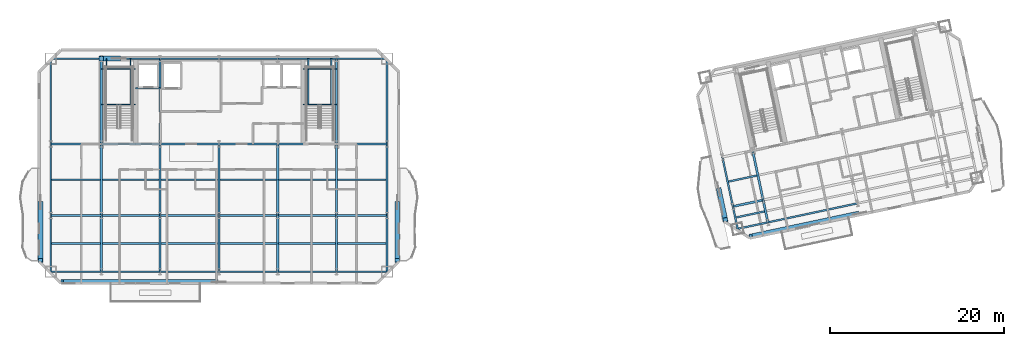
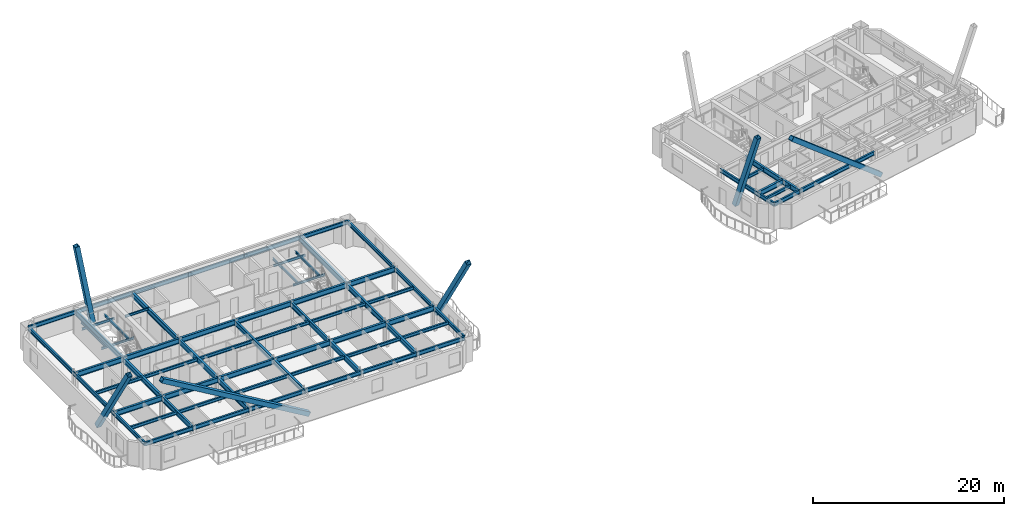
# One storey, part 3 of 13: 73 beams, 6 members.
"""IFC4 building model written with IfcOpenShell, lengths in metres."""

from ifc_helpers import new_model, si_unit, direction, frame, origin, origin_2d, place, context, subcontext, project, spatial, hollow_rectangle, i_section, extrude, material, material_profile, profile_set, type_object, element, save


model = new_model("IFC4")

# Units and contexts
model_context = context("Model", 3, precision=1e-05, world=origin(), true_north=direction((0.0, 1.0)))
body_context = subcontext(model_context, "Body", "Model", "MODEL_VIEW")
ifc_project = project(units=[si_unit("LENGTHUNIT", "METRE"), si_unit("AREAUNIT", "SQUARE_METRE"), si_unit("VOLUMEUNIT", "CUBIC_METRE"), si_unit("PLANEANGLEUNIT", "RADIAN"), si_unit("MASSUNIT", "GRAM", prefix="KILO")], contexts=[model_context])

# Site, building, storey
site_placement = place(None, origin())
site = spatial("IfcSite", under=ifc_project, at=site_placement, CompositionType="ELEMENT")
building_placement = place(site_placement, origin())
building = spatial("IfcBuilding", under=site, at=building_placement, Name="Haevon Station Towers", CompositionType="ELEMENT")
storey_placement = place(building_placement, frame((0.0, 0.0, 185.699951171875)))
storey = spatial("IfcBuildingStorey", under=building, at=storey_placement, Name="L51", CompositionType="ELEMENT", Elevation=185.699951171875)

# Beams
ifc_material_1 = material(Name="Steel S355", Category="steel")
ifc_material_profile_1 = material_profile(ifc_material_1, i_section(OverallWidth=0.25, OverallDepth=0.64990234375, WebThickness=0.012939453125, FlangeThickness=0.02197265625, at=origin_2d()), Name="H-650x250x13x22")
ifc_profile_set_1 = profile_set([ifc_material_profile_1], Name="Steel S355")
beam_type_1 = type_object("IfcBeamType", Name="BM-G650", PredefinedType="BEAM", material=ifc_profile_set_1)
beam_1_placement = place(storey_placement, frame((18.199951171875, 30.0, 2.72509765625), z_axis=(1.0, 0.0, 0.0), x_axis=(0.0, 1.0, 0.0)))
element("IfcBeam", 1, at=beam_1_placement, inside=storey, type_object=beam_type_1, Name="BM-T1U-L51-02-01", PredefinedType="BEAM", context=body_context, shape_type="SweptSolid", body=[
    extrude(i_section(OverallWidth=0.25, OverallDepth=0.64990234375, WebThickness=0.012939453125, FlangeThickness=0.02197265625, at=origin_2d()), origin(), (0.0, 0.0, 1.0), 5.800048828125),
])
for number, where, z_axis, x_axis, name in (
    (2, (24.0, 30.0, 2.72509765625), (1.0, 0.0, 0.0), (0.0, 1.0, 0.0), "BM-T1U-L51-02-02"),
    (3, (30.75, 30.0, 2.72509765625), (1.0, 0.0, 0.0), (0.0, 1.0, 0.0), "BM-T1U-L51-02-03"),
    (4, (37.5, 30.0, 2.72509765625), (1.0, 0.0, 0.0), (0.0, 1.0, 0.0), "BM-T1U-L51-02-04"),
    (5, (44.25, 30.0, 2.72509765625), (1.0, 0.0, 0.0), (0.0, 1.0, 0.0), "BM-T1U-L51-02-05"),
):
    element("IfcBeam", number, at=place(storey_placement, frame(where, z_axis=z_axis, x_axis=x_axis)), inside=storey, type_object=beam_type_1, Name=name, PredefinedType="BEAM", context=body_context, shape_type="SweptSolid", body=[
        extrude(i_section(OverallWidth=0.25, OverallDepth=0.64990234375, WebThickness=0.012939453125, FlangeThickness=0.02197265625, at=origin_2d()), origin(), (0.0, 0.0, 1.0), 6.75),
    ])
for number, where, z_axis, x_axis, name in (
    (6, (51.0, 30.0, 2.72509765625), (1.0, 0.0, 0.0), (0.0, 1.0, 0.0), "BM-T1U-L51-02-06"),
    (7, (18.199951171875, 38.199951171875, 2.72509765625), (1.0, 0.0, 0.0), (0.0, 1.0, 0.0), "BM-T1U-L51-03-01"),
):
    element("IfcBeam", number, at=place(storey_placement, frame(where, z_axis=z_axis, x_axis=x_axis)), inside=storey, type_object=beam_type_1, Name=name, PredefinedType="BEAM", context=body_context, shape_type="SweptSolid", body=[
        extrude(i_section(OverallWidth=0.25, OverallDepth=0.64990234375, WebThickness=0.012939453125, FlangeThickness=0.02197265625, at=origin_2d()), origin(), (0.0, 0.0, 1.0), 5.800048828125),
    ])
for number, where, z_axis, x_axis, name in (
    (8, (24.0, 38.199951171875, 2.72509765625), (1.0, 0.0, 0.0), (0.0, 1.0, 0.0), "BM-T1U-L51-03-02"),
    (9, (30.75, 38.199951171875, 2.72509765625), (1.0, 0.0, 0.0), (0.0, 1.0, 0.0), "BM-T1U-L51-03-03"),
    (10, (37.5, 38.199951171875, 2.72509765625), (1.0, 0.0, 0.0), (0.0, 1.0, 0.0), "BM-T1U-L51-03-04"),
    (11, (44.25, 38.199951171875, 2.72509765625), (1.0, 0.0, 0.0), (0.0, 1.0, 0.0), "BM-T1U-L51-03-05"),
):
    element("IfcBeam", number, at=place(storey_placement, frame(where, z_axis=z_axis, x_axis=x_axis)), inside=storey, type_object=beam_type_1, Name=name, PredefinedType="BEAM", context=body_context, shape_type="SweptSolid", body=[
        extrude(i_section(OverallWidth=0.25, OverallDepth=0.64990234375, WebThickness=0.012939453125, FlangeThickness=0.02197265625, at=origin_2d()), origin(), (0.0, 0.0, 1.0), 6.75),
    ])
beam_2_placement = place(storey_placement, frame((51.0, 38.199951171875, 2.72509765625), z_axis=(1.0, 0.0, 0.0), x_axis=(0.0, 1.0, 0.0)))
element("IfcBeam", 12, at=beam_2_placement, inside=storey, type_object=beam_type_1, Name="BM-T1U-L51-03-06", PredefinedType="BEAM", context=body_context, shape_type="SweptSolid", body=[
    extrude(i_section(OverallWidth=0.25, OverallDepth=0.64990234375, WebThickness=0.012939453125, FlangeThickness=0.02197265625, at=origin_2d()), origin(), (0.0, 0.0, 1.0), 5.800048828125),
])
beam_3_placement = place(storey_placement, frame((24.0, 23.550048828125, 2.72509765625), z_axis=(0.0, 1.0, 0.0), x_axis=(-1.0, 0.0, 0.0)))
element("IfcBeam", 13, at=beam_3_placement, inside=storey, type_object=beam_type_1, Name="BM-T1V-L51-02-01", PredefinedType="BEAM", context=body_context, shape_type="SweptSolid", body=[
    extrude(i_section(OverallWidth=0.25, OverallDepth=0.64990234375, WebThickness=0.012939453125, FlangeThickness=0.02197265625, at=origin_2d()), origin(), (0.0, 0.0, 1.0), 6.449951171875),
])
beam_4_placement = place(storey_placement, frame((24.0, 30.0, 2.72509765625), z_axis=(0.0, 1.0, 0.0), x_axis=(-1.0, 0.0, 0.0)))
element("IfcBeam", 14, at=beam_4_placement, inside=storey, type_object=beam_type_1, Name="BM-T1V-L51-02-02", PredefinedType="BEAM", context=body_context, shape_type="SweptSolid", body=[
    extrude(i_section(OverallWidth=0.25, OverallDepth=0.64990234375, WebThickness=0.012939453125, FlangeThickness=0.02197265625, at=origin_2d()), origin(), (0.0, 0.0, 1.0), 8.199951171875),
])
beam_5_placement = place(storey_placement, frame((24.0, 38.199951171875, 2.72509765625), z_axis=(0.0, 1.0, 0.0), x_axis=(-1.0, 0.0, 0.0)))
element("IfcBeam", 15, at=beam_5_placement, inside=storey, type_object=beam_type_1, Name="BM-T1V-L51-02-03", PredefinedType="BEAM", context=body_context, shape_type="SweptSolid", body=[
    extrude(i_section(OverallWidth=0.25, OverallDepth=0.64990234375, WebThickness=0.012939453125, FlangeThickness=0.02197265625, at=origin_2d()), origin(), (0.0, 0.0, 1.0), 9.800048828125),
])
beam_6_placement = place(storey_placement, frame((30.75, 23.550048828125, 2.72509765625), z_axis=(0.0, 1.0, 0.0), x_axis=(-1.0, 0.0, 0.0)))
element("IfcBeam", 16, at=beam_6_placement, inside=storey, type_object=beam_type_1, Name="BM-T1V-L51-03-01", PredefinedType="BEAM", context=body_context, shape_type="SweptSolid", body=[
    extrude(i_section(OverallWidth=0.25, OverallDepth=0.64990234375, WebThickness=0.012939453125, FlangeThickness=0.02197265625, at=origin_2d()), origin(), (0.0, 0.0, 1.0), 6.449951171875),
])
beam_7_placement = place(storey_placement, frame((30.75, 30.0, 2.72509765625), z_axis=(0.0, 1.0, 0.0), x_axis=(-1.0, 0.0, 0.0)))
element("IfcBeam", 17, at=beam_7_placement, inside=storey, type_object=beam_type_1, Name="BM-T1V-L51-03-02", PredefinedType="BEAM", context=body_context, shape_type="SweptSolid", body=[
    extrude(i_section(OverallWidth=0.25, OverallDepth=0.64990234375, WebThickness=0.012939453125, FlangeThickness=0.02197265625, at=origin_2d()), origin(), (0.0, 0.0, 1.0), 8.199951171875),
])
beam_8_placement = place(storey_placement, frame((30.75, 38.199951171875, 2.72509765625), z_axis=(0.0, 1.0, 0.0), x_axis=(-1.0, 0.0, 0.0)))
element("IfcBeam", 18, at=beam_8_placement, inside=storey, type_object=beam_type_1, Name="BM-T1V-L51-03-03", PredefinedType="BEAM", context=body_context, shape_type="SweptSolid", body=[
    extrude(i_section(OverallWidth=0.25, OverallDepth=0.64990234375, WebThickness=0.012939453125, FlangeThickness=0.02197265625, at=origin_2d()), origin(), (0.0, 0.0, 1.0), 9.800048828125),
])
beam_9_placement = place(storey_placement, frame((37.5, 23.550048828125, 2.72509765625), z_axis=(0.0, 1.0, 0.0), x_axis=(-1.0, 0.0, 0.0)))
element("IfcBeam", 19, at=beam_9_placement, inside=storey, type_object=beam_type_1, Name="BM-T1V-L51-04-01", PredefinedType="BEAM", context=body_context, shape_type="SweptSolid", body=[
    extrude(i_section(OverallWidth=0.25, OverallDepth=0.64990234375, WebThickness=0.012939453125, FlangeThickness=0.02197265625, at=origin_2d()), origin(), (0.0, 0.0, 1.0), 6.449951171875),
])
beam_10_placement = place(storey_placement, frame((37.5, 30.0, 2.72509765625), z_axis=(0.0, 1.0, 0.0), x_axis=(-1.0, 0.0, 0.0)))
element("IfcBeam", 20, at=beam_10_placement, inside=storey, type_object=beam_type_1, Name="BM-T1V-L51-04-02", PredefinedType="BEAM", context=body_context, shape_type="SweptSolid", body=[
    extrude(i_section(OverallWidth=0.25, OverallDepth=0.64990234375, WebThickness=0.012939453125, FlangeThickness=0.02197265625, at=origin_2d()), origin(), (0.0, 0.0, 1.0), 8.199951171875),
])
beam_11_placement = place(storey_placement, frame((44.25, 23.550048828125, 2.72509765625), z_axis=(0.0, 1.0, 0.0), x_axis=(-1.0, 0.0, 0.0)))
element("IfcBeam", 21, at=beam_11_placement, inside=storey, type_object=beam_type_1, Name="BM-T1V-L51-05-01", PredefinedType="BEAM", context=body_context, shape_type="SweptSolid", body=[
    extrude(i_section(OverallWidth=0.25, OverallDepth=0.64990234375, WebThickness=0.012939453125, FlangeThickness=0.02197265625, at=origin_2d()), origin(), (0.0, 0.0, 1.0), 6.449951171875),
])
beam_12_placement = place(storey_placement, frame((44.25, 30.0, 2.72509765625), z_axis=(0.0, 1.0, 0.0), x_axis=(-1.0, 0.0, 0.0)))
element("IfcBeam", 22, at=beam_12_placement, inside=storey, type_object=beam_type_1, Name="BM-T1V-L51-05-02", PredefinedType="BEAM", context=body_context, shape_type="SweptSolid", body=[
    extrude(i_section(OverallWidth=0.25, OverallDepth=0.64990234375, WebThickness=0.012939453125, FlangeThickness=0.02197265625, at=origin_2d()), origin(), (0.0, 0.0, 1.0), 8.199951171875),
])
beam_13_placement = place(storey_placement, frame((51.0, 23.550048828125, 2.72509765625), z_axis=(0.0, 1.0, 0.0), x_axis=(-1.0, 0.0, 0.0)))
element("IfcBeam", 23, at=beam_13_placement, inside=storey, type_object=beam_type_1, Name="BM-T1V-L51-06-01", PredefinedType="BEAM", context=body_context, shape_type="SweptSolid", body=[
    extrude(i_section(OverallWidth=0.25, OverallDepth=0.64990234375, WebThickness=0.012939453125, FlangeThickness=0.02197265625, at=origin_2d()), origin(), (0.0, 0.0, 1.0), 6.449951171875),
])
beam_14_placement = place(storey_placement, frame((51.0, 30.0, 2.72509765625), z_axis=(0.0, 1.0, 0.0), x_axis=(-1.0, 0.0, 0.0)))
element("IfcBeam", 24, at=beam_14_placement, inside=storey, type_object=beam_type_1, Name="BM-T1V-L51-06-02", PredefinedType="BEAM", context=body_context, shape_type="SweptSolid", body=[
    extrude(i_section(OverallWidth=0.25, OverallDepth=0.64990234375, WebThickness=0.012939453125, FlangeThickness=0.02197265625, at=origin_2d()), origin(), (0.0, 0.0, 1.0), 8.199951171875),
])
beam_15_placement = place(storey_placement, frame((51.0, 38.199951171875, 2.72509765625), z_axis=(0.0, 1.0, 0.0), x_axis=(-1.0, 0.0, 0.0)))
element("IfcBeam", 25, at=beam_15_placement, inside=storey, type_object=beam_type_1, Name="BM-T1V-L51-06-03", PredefinedType="BEAM", context=body_context, shape_type="SweptSolid", body=[
    extrude(i_section(OverallWidth=0.25, OverallDepth=0.64990234375, WebThickness=0.012939453125, FlangeThickness=0.02197265625, at=origin_2d()), origin(), (0.0, 0.0, 1.0), 9.800048828125),
])
beam_16_placement = place(storey_placement, frame((96.48583984375, 31.031005859375, 2.72509765625), z_axis=(0.978150285663, 0.207899058817, 0.0), x_axis=(-0.207899058817, 0.978150285663, 0.0)))
element("IfcBeam", 26, at=beam_16_placement, inside=storey, type_object=beam_type_1, Name="BM-T2U-L51-02-01", PredefinedType="BEAM", context=body_context, shape_type="SweptSolid", body=[
    extrude(i_section(OverallWidth=0.25, OverallDepth=0.64990234375, WebThickness=0.012939453125, FlangeThickness=0.02197265625, at=origin_2d()), origin(), (0.0, 0.0, 1.0), 3.550048828125),
])
beam_17_placement = place(storey_placement, frame((100.5029296875, 29.206298828125, 2.72509765625), z_axis=(-0.207893304367, 0.978151508714, 0.0), x_axis=(-0.978151508714, -0.207893304367, 0.0)))
element("IfcBeam", 27, at=beam_17_placement, inside=storey, type_object=beam_type_1, Name="BM-T2V-L51-02-01", PredefinedType="BEAM", context=body_context, shape_type="SweptSolid", body=[
    extrude(i_section(OverallWidth=0.25, OverallDepth=0.64990234375, WebThickness=0.012939453125, FlangeThickness=0.02197265625, at=origin_2d()), origin(), (0.0, 0.0, 1.0), 2.619873046875),
])
beam_18_placement = place(storey_placement, frame((99.958251953125, 31.76904296875, 2.72509765625), z_axis=(-0.207896009217, 0.97815093383, 0.0), x_axis=(-0.97815093383, -0.207896009217, 0.0)))
element("IfcBeam", 28, at=beam_18_placement, inside=storey, type_object=beam_type_1, Name="BM-T2V-L51-02-02", PredefinedType="BEAM", context=body_context, shape_type="SweptSolid", body=[
    extrude(i_section(OverallWidth=0.25, OverallDepth=0.64990234375, WebThickness=0.012939453125, FlangeThickness=0.02197265625, at=origin_2d()), origin(), (0.0, 0.0, 1.0), 5.800048828125),
])
ifc_material_profile_2 = material_profile(ifc_material_1, i_section(OverallWidth=0.199951171875, OverallDepth=0.39990234375, WebThickness=0.008056640625, FlangeThickness=0.012939453125, at=origin_2d()), Name="H-400x200x8x13")
ifc_profile_set_2 = profile_set([ifc_material_profile_2], Name="Steel S355")
beam_type_2 = type_object("IfcBeamType", Name="BM-J400", PredefinedType="JOIST", material=ifc_profile_set_2)
beam_19_placement = place(storey_placement, frame((18.31005859375, 26.77490234375, 2.85009765625), z_axis=(1.0, 0.0, 0.0), x_axis=(0.0, 1.0, 0.0)))
element("IfcBeam", 29, at=beam_19_placement, inside=storey, type_object=beam_type_2, Name="BM-T1J-L51-01-01", PredefinedType="JOIST", context=body_context, shape_type="SweptSolid", body=[
    extrude(i_section(OverallWidth=0.199951171875, OverallDepth=0.39990234375, WebThickness=0.008056640625, FlangeThickness=0.012939453125, at=origin_2d()), origin(), (0.0, 0.0, 1.0), 5.579833984375),
])
for number, where, z_axis, x_axis, name in (
    (30, (24.110107421875, 26.77490234375, 2.85009765625), (1.0, 0.0, 0.0), (0.0, 1.0, 0.0), "BM-T1J-L51-01-02"),
    (31, (30.860107421875, 26.77490234375, 2.85009765625), (1.0, 0.0, 0.0), (0.0, 1.0, 0.0), "BM-T1J-L51-01-03"),
    (32, (37.610107421875, 26.77490234375, 2.85009765625), (1.0, 0.0, 0.0), (0.0, 1.0, 0.0), "BM-T1J-L51-01-04"),
    (33, (44.360107421875, 26.77490234375, 2.85009765625), (1.0, 0.0, 0.0), (0.0, 1.0, 0.0), "BM-T1J-L51-01-05"),
):
    element("IfcBeam", number, at=place(storey_placement, frame(where, z_axis=z_axis, x_axis=x_axis)), inside=storey, type_object=beam_type_2, Name=name, PredefinedType="JOIST", context=body_context, shape_type="SweptSolid", body=[
        extrude(i_section(OverallWidth=0.199951171875, OverallDepth=0.39990234375, WebThickness=0.008056640625, FlangeThickness=0.012939453125, at=origin_2d()), origin(), (0.0, 0.0, 1.0), 6.52978515625),
    ])
for number, where, z_axis, x_axis, name in (
    (34, (51.110107421875, 26.77490234375, 2.85009765625), (1.0, 0.0, 0.0), (0.0, 1.0, 0.0), "BM-T1J-L51-01-06"),
    (35, (18.31005859375, 34.10009765625, 2.85009765625), (1.0, 0.0, 0.0), (0.0, 1.0, 0.0), "BM-T1J-L51-02-01"),
):
    element("IfcBeam", number, at=place(storey_placement, frame(where, z_axis=z_axis, x_axis=x_axis)), inside=storey, type_object=beam_type_2, Name=name, PredefinedType="JOIST", context=body_context, shape_type="SweptSolid", body=[
        extrude(i_section(OverallWidth=0.199951171875, OverallDepth=0.39990234375, WebThickness=0.008056640625, FlangeThickness=0.012939453125, at=origin_2d()), origin(), (0.0, 0.0, 1.0), 5.579833984375),
    ])
for number, where, z_axis, x_axis, name in (
    (36, (24.110107421875, 34.10009765625, 2.85009765625), (1.0, 0.0, 0.0), (0.0, 1.0, 0.0), "BM-T1J-L51-02-02"),
    (37, (30.860107421875, 34.10009765625, 2.85009765625), (1.0, 0.0, 0.0), (0.0, 1.0, 0.0), "BM-T1J-L51-02-03"),
    (38, (37.610107421875, 34.10009765625, 2.85009765625), (1.0, 0.0, 0.0), (0.0, 1.0, 0.0), "BM-T1J-L51-02-04"),
    (39, (44.360107421875, 34.10009765625, 2.85009765625), (1.0, 0.0, 0.0), (0.0, 1.0, 0.0), "BM-T1J-L51-02-05"),
):
    element("IfcBeam", number, at=place(storey_placement, frame(where, z_axis=z_axis, x_axis=x_axis)), inside=storey, type_object=beam_type_2, Name=name, PredefinedType="JOIST", context=body_context, shape_type="SweptSolid", body=[
        extrude(i_section(OverallWidth=0.199951171875, OverallDepth=0.39990234375, WebThickness=0.008056640625, FlangeThickness=0.012939453125, at=origin_2d()), origin(), (0.0, 0.0, 1.0), 6.52978515625),
    ])
beam_20_placement = place(storey_placement, frame((51.110107421875, 34.10009765625, 2.85009765625), z_axis=(1.0, 0.0, 0.0), x_axis=(0.0, 1.0, 0.0)))
element("IfcBeam", 40, at=beam_20_placement, inside=storey, type_object=beam_type_2, Name="BM-T1J-L51-02-06", PredefinedType="JOIST", context=body_context, shape_type="SweptSolid", body=[
    extrude(i_section(OverallWidth=0.199951171875, OverallDepth=0.39990234375, WebThickness=0.008056640625, FlangeThickness=0.012939453125, at=origin_2d()), origin(), (0.0, 0.0, 1.0), 5.579833984375),
])
for number, where, z_axis, x_axis, name in (
    (41, (96.86572265625, 29.7724609375, 2.85009765625), (0.978146551768, 0.207916625754, 0.0), (-0.207916625754, 0.978146551768, 0.0), "BM-T2J-L51-01-01"),
    (42, (95.990478515625, 33.890625, 2.85009765625), (0.978146551768, 0.207916625754, 0.0), (-0.207916625754, 0.978146551768, 0.0), "BM-T2J-L51-02-01"),
):
    element("IfcBeam", number, at=place(storey_placement, frame(where, z_axis=z_axis, x_axis=x_axis)), inside=storey, type_object=beam_type_2, Name=name, PredefinedType="JOIST", context=body_context, shape_type="SweptSolid", body=[
        extrude(i_section(OverallWidth=0.199951171875, OverallDepth=0.39990234375, WebThickness=0.008056640625, FlangeThickness=0.012939453125, at=origin_2d()), origin(), (0.0, 0.0, 1.0), 3.330078125),
    ])
ifc_material_profile_3 = material_profile(ifc_material_1, i_section(OverallWidth=0.14990234375, OverallDepth=0.300048828125, WebThickness=0.006591796875, FlangeThickness=0.009033203125, at=origin_2d()), Name="H-300x150x6.5x9")
ifc_profile_set_3 = profile_set([ifc_material_profile_3], Name="Steel S355")
beam_type_3 = type_object("IfcBeamType", Name="BM-LIN300", PredefinedType="LINTEL", material=ifc_profile_set_3)
for number, where, z_axis, x_axis, name in (
    (43, (24.0, 42.743896484375, 1.300048828125), (1.0, 0.0, 0.0), (0.0, 1.0, 0.0), "BM-ST1L-L51-1-S"),
    (44, (24.0, 46.820068359375, 1.300048828125), (1.0, 0.0, 0.0), (0.0, 1.0, 0.0), "BM-ST1L-L51-1-N"),
):
    element("IfcBeam", number, at=place(storey_placement, frame(where, z_axis=z_axis, x_axis=x_axis)), inside=storey, type_object=beam_type_3, Name=name, PredefinedType="LINTEL", context=body_context, shape_type="SweptSolid", body=[
        extrude(i_section(OverallWidth=0.14990234375, OverallDepth=0.300048828125, WebThickness=0.006591796875, FlangeThickness=0.009033203125, at=origin_2d()), origin(), (0.0, 0.0, 1.0), 3.949951171875),
    ])
for number, where, z_axis, x_axis, name in (
    (45, (24.60009765625, 42.743896484375, 1.300048828125), (0.0, 1.0, 0.0), (-1.0, 0.0, 0.0), "BM-ST1L-L51-1-W"),
    (46, (27.35009765625, 42.743896484375, 1.300048828125), (0.0, 1.0, 0.0), (-1.0, 0.0, 0.0), "BM-ST1L-L51-1-E"),
):
    element("IfcBeam", number, at=place(storey_placement, frame(where, z_axis=z_axis, x_axis=x_axis)), inside=storey, type_object=beam_type_3, Name=name, PredefinedType="LINTEL", context=body_context, shape_type="SweptSolid", body=[
        extrude(i_section(OverallWidth=0.14990234375, OverallDepth=0.300048828125, WebThickness=0.006591796875, FlangeThickness=0.009033203125, at=origin_2d()), origin(), (0.0, 0.0, 1.0), 5.256103515625),
    ])
for number, where, z_axis, x_axis, name in (
    (47, (47.14990234375, 42.743896484375, 1.300048828125), (1.0, 0.0, 0.0), (0.0, 1.0, 0.0), "BM-ST2L-L51-1-S"),
    (48, (47.14990234375, 46.820068359375, 1.300048828125), (1.0, 0.0, 0.0), (0.0, 1.0, 0.0), "BM-ST2L-L51-1-N"),
):
    element("IfcBeam", number, at=place(storey_placement, frame(where, z_axis=z_axis, x_axis=x_axis)), inside=storey, type_object=beam_type_3, Name=name, PredefinedType="LINTEL", context=body_context, shape_type="SweptSolid", body=[
        extrude(i_section(OverallWidth=0.14990234375, OverallDepth=0.300048828125, WebThickness=0.006591796875, FlangeThickness=0.009033203125, at=origin_2d()), origin(), (0.0, 0.0, 1.0), 3.85009765625),
    ])
for number, where, z_axis, x_axis, name in (
    (49, (47.75, 42.743896484375, 1.300048828125), (0.0, 1.0, 0.0), (-1.0, 0.0, 0.0), "BM-ST2L-L51-1-W"),
    (50, (50.39990234375, 42.743896484375, 1.300048828125), (0.0, 1.0, 0.0), (-1.0, 0.0, 0.0), "BM-ST2L-L51-1-E"),
):
    element("IfcBeam", number, at=place(storey_placement, frame(where, z_axis=z_axis, x_axis=x_axis)), inside=storey, type_object=beam_type_3, Name=name, PredefinedType="LINTEL", context=body_context, shape_type="SweptSolid", body=[
        extrude(i_section(OverallWidth=0.14990234375, OverallDepth=0.300048828125, WebThickness=0.006591796875, FlangeThickness=0.009033203125, at=origin_2d()), origin(), (0.0, 0.0, 1.0), 5.256103515625),
    ])
beam_21_placement = place(storey_placement, frame((27.949951171875, 44.60009765625, 2.900146484375), z_axis=(1.0, 0.0, 0.0), x_axis=(0.0, 1.0, 0.0)))
element("IfcBeam", 51, at=beam_21_placement, inside=storey, type_object=beam_type_3, Name="BM-T1LIN-L51", PredefinedType="LINTEL", context=body_context, shape_type="SweptSolid", body=[
    extrude(i_section(OverallWidth=0.14990234375, OverallDepth=0.300048828125, WebThickness=0.006591796875, FlangeThickness=0.009033203125, at=origin_2d()), origin(), (0.0, 0.0, 1.0), 2.85009765625),
])
ifc_material_profile_4 = material_profile(ifc_material_1, i_section(OverallWidth=0.199951171875, OverallDepth=0.5, WebThickness=0.010009765625, FlangeThickness=0.01611328125, at=origin_2d()), Name="H-500x200x10x16")
ifc_profile_set_4 = profile_set([ifc_material_profile_4], Name="Steel S355")
beam_type_4 = type_object("IfcBeamType", Name="BM-SP500", PredefinedType="SPANDREL", material=ifc_profile_set_4)
beam_22_placement = place(storey_placement, frame((18.199951171875, 23.550048828125, 2.800048828125), z_axis=(1.0, 0.0, 0.0), x_axis=(0.0, 1.0, 0.0)))
element("IfcBeam", 52, at=beam_22_placement, inside=storey, type_object=beam_type_4, Name="BM-T1U-L51-01-01", PredefinedType="SPANDREL", context=body_context, shape_type="SweptSolid", body=[
    extrude(i_section(OverallWidth=0.199951171875, OverallDepth=0.5, WebThickness=0.010009765625, FlangeThickness=0.01611328125, at=origin_2d()), origin(), (0.0, 0.0, 1.0), 5.800048828125),
])
for number, where, z_axis, x_axis, name in (
    (53, (24.0, 23.550048828125, 2.800048828125), (1.0, 0.0, 0.0), (0.0, 1.0, 0.0), "BM-T1U-L51-01-02"),
    (54, (30.75, 23.550048828125, 2.800048828125), (1.0, 0.0, 0.0), (0.0, 1.0, 0.0), "BM-T1U-L51-01-03"),
    (55, (37.5, 23.550048828125, 2.800048828125), (1.0, 0.0, 0.0), (0.0, 1.0, 0.0), "BM-T1U-L51-01-04"),
    (56, (44.25, 23.550048828125, 2.800048828125), (1.0, 0.0, 0.0), (0.0, 1.0, 0.0), "BM-T1U-L51-01-05"),
):
    element("IfcBeam", number, at=place(storey_placement, frame(where, z_axis=z_axis, x_axis=x_axis)), inside=storey, type_object=beam_type_4, Name=name, PredefinedType="SPANDREL", context=body_context, shape_type="SweptSolid", body=[
        extrude(i_section(OverallWidth=0.199951171875, OverallDepth=0.5, WebThickness=0.010009765625, FlangeThickness=0.01611328125, at=origin_2d()), origin(), (0.0, 0.0, 1.0), 6.75),
    ])
for number, where, z_axis, x_axis, name in (
    (57, (51.0, 23.550048828125, 2.800048828125), (1.0, 0.0, 0.0), (0.0, 1.0, 0.0), "BM-T1U-L51-01-06"),
    (58, (18.199951171875, 48.0, 2.800048828125), (1.0, 0.0, 0.0), (0.0, 1.0, 0.0), "BM-T1U-L51-04-01"),
):
    element("IfcBeam", number, at=place(storey_placement, frame(where, z_axis=z_axis, x_axis=x_axis)), inside=storey, type_object=beam_type_4, Name=name, PredefinedType="SPANDREL", context=body_context, shape_type="SweptSolid", body=[
        extrude(i_section(OverallWidth=0.199951171875, OverallDepth=0.5, WebThickness=0.010009765625, FlangeThickness=0.01611328125, at=origin_2d()), origin(), (0.0, 0.0, 1.0), 5.800048828125),
    ])
for number, where, z_axis, x_axis, name in (
    (59, (24.0, 48.0, 2.800048828125), (1.0, 0.0, 0.0), (0.0, 1.0, 0.0), "BM-T1U-L51-04-02"),
    (60, (30.75, 48.0, 2.800048828125), (1.0, 0.0, 0.0), (0.0, 1.0, 0.0), "BM-T1U-L51-04-03"),
    (61, (37.5, 48.0, 2.800048828125), (1.0, 0.0, 0.0), (0.0, 1.0, 0.0), "BM-T1U-L51-04-04"),
    (62, (44.25, 48.0, 2.800048828125), (1.0, 0.0, 0.0), (0.0, 1.0, 0.0), "BM-T1U-L51-04-05"),
):
    element("IfcBeam", number, at=place(storey_placement, frame(where, z_axis=z_axis, x_axis=x_axis)), inside=storey, type_object=beam_type_4, Name=name, PredefinedType="SPANDREL", context=body_context, shape_type="SweptSolid", body=[
        extrude(i_section(OverallWidth=0.199951171875, OverallDepth=0.5, WebThickness=0.010009765625, FlangeThickness=0.01611328125, at=origin_2d()), origin(), (0.0, 0.0, 1.0), 6.75),
    ])
beam_23_placement = place(storey_placement, frame((51.0, 48.0, 2.800048828125), z_axis=(1.0, 0.0, 0.0), x_axis=(0.0, 1.0, 0.0)))
element("IfcBeam", 63, at=beam_23_placement, inside=storey, type_object=beam_type_4, Name="BM-T1U-L51-04-06", PredefinedType="SPANDREL", context=body_context, shape_type="SweptSolid", body=[
    extrude(i_section(OverallWidth=0.199951171875, OverallDepth=0.5, WebThickness=0.010009765625, FlangeThickness=0.01611328125, at=origin_2d()), origin(), (0.0, 0.0, 1.0), 5.800048828125),
])
beam_24_placement = place(storey_placement, frame((18.199951171875, 23.550048828125, 2.800048828125), z_axis=(0.0, 1.0, 0.0), x_axis=(-1.0, 0.0, 0.0)))
element("IfcBeam", 64, at=beam_24_placement, inside=storey, type_object=beam_type_4, Name="BM-T1V-L51-01-01", PredefinedType="SPANDREL", context=body_context, shape_type="SweptSolid", body=[
    extrude(i_section(OverallWidth=0.199951171875, OverallDepth=0.5, WebThickness=0.010009765625, FlangeThickness=0.01611328125, at=origin_2d()), origin(), (0.0, 0.0, 1.0), 6.449951171875),
])
beam_25_placement = place(storey_placement, frame((18.199951171875, 30.0, 2.800048828125), z_axis=(0.0, 1.0, 0.0), x_axis=(-1.0, 0.0, 0.0)))
element("IfcBeam", 65, at=beam_25_placement, inside=storey, type_object=beam_type_4, Name="BM-T1V-L51-01-02", PredefinedType="SPANDREL", context=body_context, shape_type="SweptSolid", body=[
    extrude(i_section(OverallWidth=0.199951171875, OverallDepth=0.5, WebThickness=0.010009765625, FlangeThickness=0.01611328125, at=origin_2d()), origin(), (0.0, 0.0, 1.0), 8.199951171875),
])
beam_26_placement = place(storey_placement, frame((18.199951171875, 38.199951171875, 2.800048828125), z_axis=(0.0, 1.0, 0.0), x_axis=(-1.0, 0.0, 0.0)))
element("IfcBeam", 66, at=beam_26_placement, inside=storey, type_object=beam_type_4, Name="BM-T1V-L51-01-03", PredefinedType="SPANDREL", context=body_context, shape_type="SweptSolid", body=[
    extrude(i_section(OverallWidth=0.199951171875, OverallDepth=0.5, WebThickness=0.010009765625, FlangeThickness=0.01611328125, at=origin_2d()), origin(), (0.0, 0.0, 1.0), 9.800048828125),
])
beam_27_placement = place(storey_placement, frame((56.800048828125, 23.550048828125, 2.800048828125), z_axis=(0.0, 1.0, 0.0), x_axis=(-1.0, 0.0, 0.0)))
element("IfcBeam", 67, at=beam_27_placement, inside=storey, type_object=beam_type_4, Name="BM-T1V-L51-07-01", PredefinedType="SPANDREL", context=body_context, shape_type="SweptSolid", body=[
    extrude(i_section(OverallWidth=0.199951171875, OverallDepth=0.5, WebThickness=0.010009765625, FlangeThickness=0.01611328125, at=origin_2d()), origin(), (0.0, 0.0, 1.0), 6.449951171875),
])
beam_28_placement = place(storey_placement, frame((56.800048828125, 30.0, 2.800048828125), z_axis=(0.0, 1.0, 0.0), x_axis=(-1.0, 0.0, 0.0)))
element("IfcBeam", 68, at=beam_28_placement, inside=storey, type_object=beam_type_4, Name="BM-T1V-L51-07-02", PredefinedType="SPANDREL", context=body_context, shape_type="SweptSolid", body=[
    extrude(i_section(OverallWidth=0.199951171875, OverallDepth=0.5, WebThickness=0.010009765625, FlangeThickness=0.01611328125, at=origin_2d()), origin(), (0.0, 0.0, 1.0), 8.199951171875),
])
beam_29_placement = place(storey_placement, frame((56.800048828125, 38.199951171875, 2.800048828125), z_axis=(0.0, 1.0, 0.0), x_axis=(-1.0, 0.0, 0.0)))
element("IfcBeam", 69, at=beam_29_placement, inside=storey, type_object=beam_type_4, Name="BM-T1V-L51-07-03", PredefinedType="SPANDREL", context=body_context, shape_type="SweptSolid", body=[
    extrude(i_section(OverallWidth=0.199951171875, OverallDepth=0.5, WebThickness=0.010009765625, FlangeThickness=0.01611328125, at=origin_2d()), origin(), (0.0, 0.0, 1.0), 9.800048828125),
])
beam_30_placement = place(storey_placement, frame((97.030517578125, 28.46826171875, 2.800048828125), z_axis=(0.978150285663, 0.207899058817, 0.0), x_axis=(-0.207899058817, 0.978150285663, 0.0)))
element("IfcBeam", 70, at=beam_30_placement, inside=storey, type_object=beam_type_4, Name="BM-T2U-L51-01-01", PredefinedType="SPANDREL", context=body_context, shape_type="SweptSolid", body=[
    extrude(i_section(OverallWidth=0.199951171875, OverallDepth=0.5, WebThickness=0.010009765625, FlangeThickness=0.01611328125, at=origin_2d()), origin(), (0.0, 0.0, 1.0), 3.550048828125),
])
beam_31_placement = place(storey_placement, frame((100.5029296875, 29.206298828125, 2.800048828125), z_axis=(0.978146794194, 0.207915485254, 0.0), x_axis=(-0.207915485254, 0.978146794194, 0.0)))
element("IfcBeam", 71, at=beam_31_placement, inside=storey, type_object=beam_type_4, Name="BM-T2U-L51-01-02", PredefinedType="SPANDREL", context=body_context, shape_type="SweptSolid", body=[
    extrude(i_section(OverallWidth=0.199951171875, OverallDepth=0.5, WebThickness=0.010009765625, FlangeThickness=0.01611328125, at=origin_2d()), origin(), (0.0, 0.0, 1.0), 10.5),
])
beam_32_placement = place(storey_placement, frame((97.030517578125, 28.46826171875, 2.800048828125), z_axis=(-0.207893304367, 0.978151508714, 0.0), x_axis=(-0.978151508714, -0.207893304367, 0.0)))
element("IfcBeam", 72, at=beam_32_placement, inside=storey, type_object=beam_type_4, Name="BM-T2V-L51-01-01", PredefinedType="SPANDREL", context=body_context, shape_type="SweptSolid", body=[
    extrude(i_section(OverallWidth=0.199951171875, OverallDepth=0.5, WebThickness=0.010009765625, FlangeThickness=0.01611328125, at=origin_2d()), origin(), (0.0, 0.0, 1.0), 2.619873046875),
])
beam_33_placement = place(storey_placement, frame((96.48583984375, 31.031005859375, 2.800048828125), z_axis=(-0.207896009217, 0.97815093383, 0.0), x_axis=(-0.97815093383, -0.207896009217, 0.0)))
element("IfcBeam", 73, at=beam_33_placement, inside=storey, type_object=beam_type_4, Name="BM-T2V-L51-01-02", PredefinedType="SPANDREL", context=body_context, shape_type="SweptSolid", body=[
    extrude(i_section(OverallWidth=0.199951171875, OverallDepth=0.5, WebThickness=0.010009765625, FlangeThickness=0.01611328125, at=origin_2d()), origin(), (0.0, 0.0, 1.0), 5.800048828125),
])

# Members
ifc_material_2 = material(Name="Steel S460", Category="steel")
ifc_material_profile_5 = material_profile(ifc_material_2, hollow_rectangle(XDim=0.550048828125, YDim=0.550048828125, WallThickness=0.028076171875, at=origin_2d()), Name="RHS-550x550x28")
ifc_profile_set_5 = profile_set([ifc_material_profile_5], Name="Steel S460")
member_type = type_object("IfcMemberType", Name="MB-550", PredefinedType="BRACE", material=ifc_profile_set_5)
member_1_placement = place(storey_placement, frame((37.2529296875, 22.3798828125, 0.760986328125), z_axis=(-0.860955283643, 0.0, 0.508680645953), x_axis=(0.0, -1.0, 0.0)))
element("IfcMember", 74, at=member_1_placement, inside=storey, type_object=member_type, Name="BR-T1MB-T07-S-D2B", PredefinedType="BRACE", context=body_context, shape_type="SweptSolid", body=[
    extrude(hollow_rectangle(XDim=0.550048828125, YDim=0.550048828125, WallThickness=0.028076171875, at=origin_2d()), origin(), (0.0, 0.0, 1.0), 20.6201171875),
])
member_2_placement = place(storey_placement, frame((25.922607421875, 48.0, 0.897216796875), z_axis=(-0.182587391121, 0.0, 0.983189627998), x_axis=(0.0, -1.0, 0.0)))
element("IfcMember", 75, at=member_2_placement, inside=storey, type_object=member_type, Name="BR-T1MB-T07-N-D2B", PredefinedType="BRACE", context=body_context, shape_type="SweptSolid", body=[
    extrude(hollow_rectangle(XDim=0.550048828125, YDim=0.550048828125, WallThickness=0.028076171875, at=origin_2d()), origin(), (0.0, 0.0, 1.0), 10.52978515625),
])
for number, where, z_axis, x_axis, name in (
    (76, (17.030029296875, 31.372314453125, 0.858154296875), (0.0, -0.531598850129, 0.846996258871), (1.0, 0.0, 0.0), "BR-T1MB-T07-W-D2B"),
    (77, (57.969970703125, 31.372314453125, 0.858154296875), (0.0, -0.531598850129, 0.846996258871), (1.0, 0.0, 0.0), "BR-T1MB-T07-E-D2B"),
):
    element("IfcMember", number, at=place(storey_placement, frame(where, z_axis=z_axis, x_axis=x_axis)), inside=storey, type_object=member_type, Name=name, PredefinedType="BRACE", context=body_context, shape_type="SweptSolid", body=[
        extrude(hollow_rectangle(XDim=0.550048828125, YDim=0.550048828125, WallThickness=0.028076171875, at=origin_2d()), origin(), (0.0, 0.0, 1.0), 12.26904296875),
    ])
member_3_placement = place(storey_placement, frame((110.80126953125, 30.19921875, 0.798828125), z_axis=(-0.751145795328, -0.159655889166, 0.640538828812), x_axis=(0.20790536354, -0.978148945617, 0.0)))
element("IfcMember", 78, at=member_3_placement, inside=storey, type_object=member_type, Name="BR-T2MB-T07-S-D2B", PredefinedType="BRACE", context=body_context, shape_type="SweptSolid", body=[
    extrude(hollow_rectangle(XDim=0.550048828125, YDim=0.550048828125, WallThickness=0.028076171875, at=origin_2d()), origin(), (0.0, 0.0, 1.0), 16.316162109375),
])
member_4_placement = place(storey_placement, frame((94.89453125, 32.8896484375, 0.88720703125), z_axis=(0.065995011652, -0.310493795511, 0.948281741565), x_axis=(0.978149190815, 0.207904209934, 0.0)))
element("IfcMember", 79, at=member_4_placement, inside=storey, type_object=member_type, Name="BR-T2MB-T07-W-D2B", PredefinedType="BRACE", context=body_context, shape_type="SweptSolid", body=[
    extrude(hollow_rectangle(XDim=0.550048828125, YDim=0.550048828125, WallThickness=0.028076171875, at=origin_2d()), origin(), (0.0, 0.0, 1.0), 10.927978515625),
])

save(model, "model.ifc")
